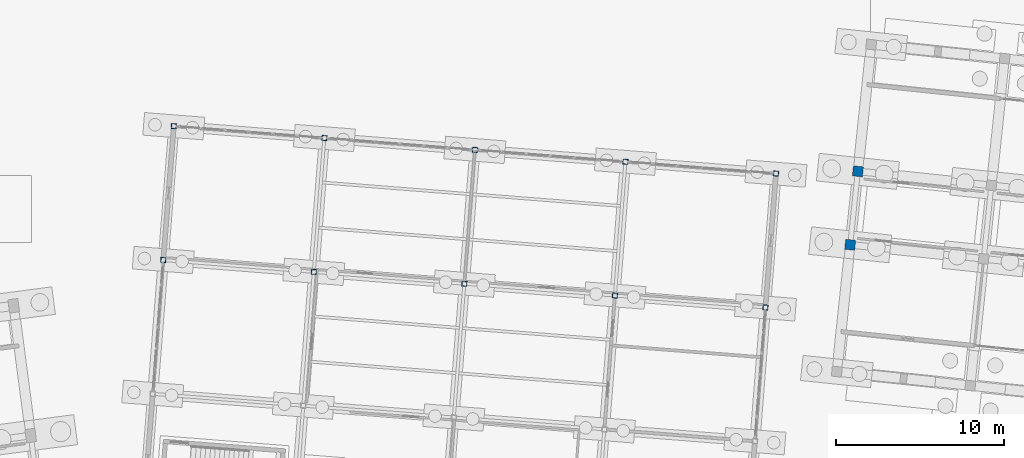
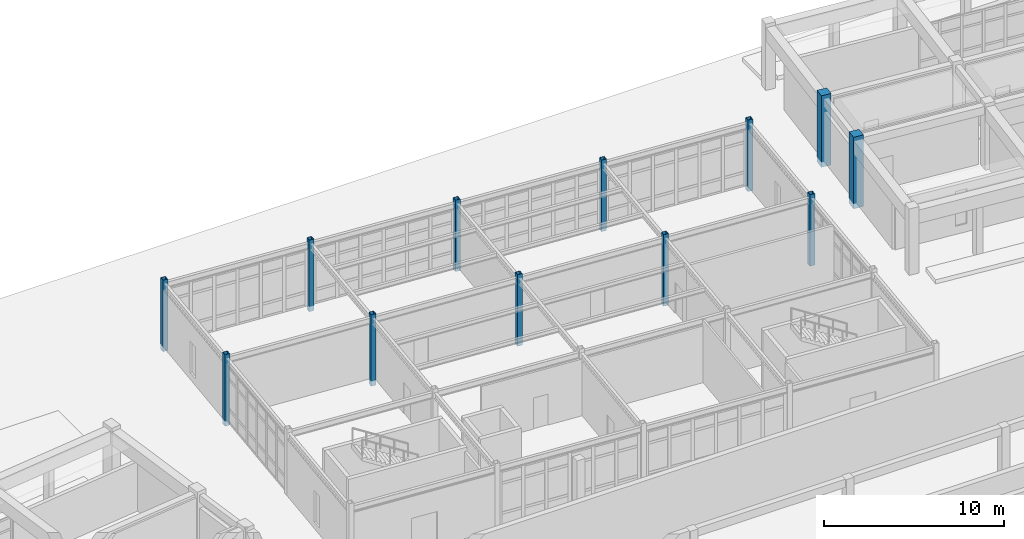
# One storey, part 11 of 154: 12 columns.
"""IFC4 building model written with IfcOpenShell, lengths in metres."""

from ifc_helpers import new_model, si_unit, direction, frame, origin, origin_2d, place, context, subcontext, project, spatial, rectangle, hollow_rectangle, extrude, material, material_profile, profile_set, type_object, element, save


model = new_model("IFC4")

# Units and contexts
model_context = context("Model", 3, precision=1e-05, world=origin(), true_north=direction((0.0, 1.0)))
body_context = subcontext(model_context, "Body", "Model", "MODEL_VIEW")
ifc_project = project(units=[si_unit("LENGTHUNIT", "METRE"), si_unit("AREAUNIT", "SQUARE_METRE"), si_unit("VOLUMEUNIT", "CUBIC_METRE"), si_unit("PLANEANGLEUNIT", "RADIAN"), si_unit("MASSUNIT", "GRAM", prefix="KILO")], contexts=[model_context])

# Site, building, storey
site_placement = place(None, origin())
site = spatial("IfcSite", under=ifc_project, at=site_placement, CompositionType="ELEMENT")
building_placement = place(site_placement, origin())
building = spatial("IfcBuilding", under=site, at=building_placement, Name="Kestramere Prow Commons", CompositionType="ELEMENT")
storey_placement = place(building_placement, origin())
storey = spatial("IfcBuildingStorey", under=building, at=storey_placement, Name="L00", CompositionType="ELEMENT", Elevation=0.0)

# Columns
ifc_material_1 = material(Name="Precast concrete C40/50", Category="concrete")
ifc_material_profile_1 = material_profile(ifc_material_1, rectangle(XDim=0.60009765625, YDim=0.60009765625, at=origin_2d()), Name="PC-COL 600x600")
ifc_profile_set_1 = profile_set([ifc_material_profile_1], Name="Precast concrete C40/50")
column_type_1 = type_object("IfcColumnType", Name="C-B1 PC-COL 600x600 (EX)", PredefinedType="COLUMN", material=ifc_profile_set_1)
for number, where, z_axis, x_axis, name in (
    (1, (110.79443359375, 102.3583984375, -0.35009765625), (0.0, 0.0, 1.0), (0.994521895368, -0.104528463268, 0.0), "Block B L00 Column 1-2"),
    (2, (111.25439453125, 106.734375, -0.35009765625), (0.0, 0.0, 1.0), (0.994521895368, -0.104528463268, 0.0), "Block B L00 Column 1-3"),
):
    element("IfcColumn", number, at=place(storey_placement, frame(where, z_axis=z_axis, x_axis=x_axis)), inside=storey, type_object=column_type_1, Name=name, PredefinedType="COLUMN", context=body_context, shape_type="SweptSolid", body=[
        extrude(rectangle(XDim=0.60009765625, YDim=0.60009765625, at=origin_2d()), origin(), (0.0, 0.0, 1.0), 4.85009765625),
    ])
ifc_material_2 = material(Name="Steel S355JR", Category="steel")
ifc_material_profile_2 = material_profile(ifc_material_2, hollow_rectangle(XDim=0.300048828125, YDim=0.300048828125, WallThickness=0.01611328125, at=origin_2d()), Name="SHS 300x300x16")
ifc_profile_set_2 = profile_set([ifc_material_profile_2], Name="Steel S355JR")
column_type_2 = type_object("IfcColumnType", Name="C-NR1 SHS 300x300x16", PredefinedType="COLUMN", material=ifc_profile_set_2)
for number, where, z_axis, x_axis, name in (
    (3, (69.855224609375, 101.45068359375, -0.35009765625), (0.0, 0.0, 1.0), (0.996917333733, -0.078459095728, 0.0), "Nursery L00 Steel Column 1-3"),
    (4, (70.48291015625, 109.426025390625, -0.35009765625), (0.0, 0.0, 1.0), (0.996917333733, -0.078459095728, 0.0), "Nursery L00 Steel Column 1-4"),
    (5, (79.455322265625, 108.719970703125, -0.35009765625), (0.0, 0.0, 1.0), (0.996917333733, -0.078459095728, 0.0), "Nursery L00 Steel Column 2-4"),
    (6, (88.427490234375, 108.013671875, -0.35009765625), (0.0, 0.0, 1.0), (0.996917333733, -0.078459095728, 0.0), "Nursery L00 Steel Column 3-4"),
    (7, (97.39990234375, 107.3076171875, -0.35009765625), (0.0, 0.0, 1.0), (0.996917333733, -0.078459095728, 0.0), "Nursery L00 Steel Column 4-4"),
    (8, (105.744384765625, 98.626220703125, -0.35009765625), (0.0, 0.0, 1.0), (0.996917333733, -0.078459095728, 0.0), "Nursery L00 Steel Column 5-3"),
    (9, (106.3720703125, 106.6015625, -0.35009765625), (0.0, 0.0, 1.0), (0.996917333733, -0.078459095728, 0.0), "Nursery L00 Steel Column 5-4"),
):
    element("IfcColumn", number, at=place(storey_placement, frame(where, z_axis=z_axis, x_axis=x_axis)), inside=storey, type_object=column_type_2, Name=name, PredefinedType="COLUMN", context=body_context, shape_type="SweptSolid", body=[
        extrude(hollow_rectangle(XDim=0.300048828125, YDim=0.300048828125, WallThickness=0.01611328125, at=origin_2d()), origin(), (0.0, 0.0, 1.0), 4.85009765625),
    ])
ifc_material_profile_3 = material_profile(ifc_material_2, hollow_rectangle(XDim=0.300048828125, YDim=0.300048828125, WallThickness=0.01611328125, at=origin_2d()), Name="SHS 300x300x16")
ifc_profile_set_3 = profile_set([ifc_material_profile_3], Name="Steel S355JR")
column_type_3 = type_object("IfcColumnType", Name="C-NR1 SHS 300x300x16 (IN)", PredefinedType="COLUMN", material=ifc_profile_set_3)
for number, where, z_axis, x_axis, name in (
    (10, (78.82763671875, 100.74462890625, -0.35009765625), (0.0, 0.0, 1.0), (0.996917333733, -0.078459095728, 0.0), "Nursery L00 Steel Column 2-3"),
    (11, (87.7998046875, 100.038330078125, -0.35009765625), (0.0, 0.0, 1.0), (0.996917333733, -0.078459095728, 0.0), "Nursery L00 Steel Column 3-3"),
    (12, (96.772216796875, 99.332275390625, -0.35009765625), (0.0, 0.0, 1.0), (0.996917333733, -0.078459095728, 0.0), "Nursery L00 Steel Column 4-3"),
):
    element("IfcColumn", number, at=place(storey_placement, frame(where, z_axis=z_axis, x_axis=x_axis)), inside=storey, type_object=column_type_3, Name=name, PredefinedType="COLUMN", context=body_context, shape_type="SweptSolid", body=[
        extrude(hollow_rectangle(XDim=0.300048828125, YDim=0.300048828125, WallThickness=0.01611328125, at=origin_2d()), origin(), (0.0, 0.0, 1.0), 4.85009765625),
    ])

save(model, "model.ifc")
